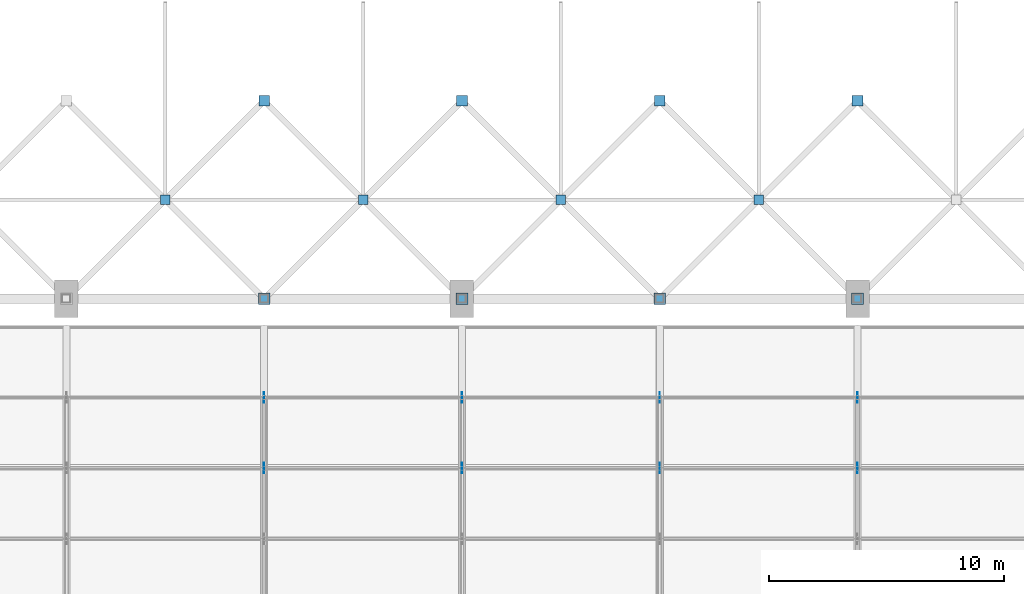
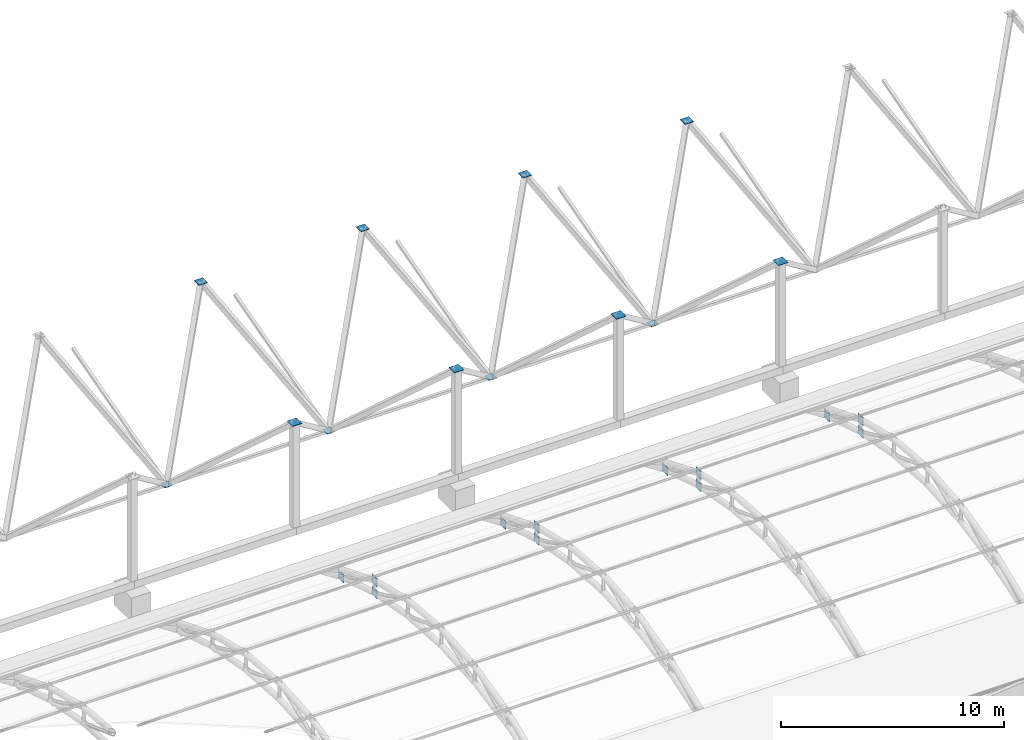
# One storey, part 126 of 163: 24 discrete accessories.
"""IFC4 building model written with IfcOpenShell, lengths in metres."""

import ifcopenshell
import ifcopenshell.guid

model = None  # the IFC model being written
_history = None  # IfcOwnerHistory: only IFC2X3 demands one
_inside = {}  # id of a spatial element -> (the spatial element, [elements in it])
_under = {}  # id of a project, library or spatial element -> (it, [spatial elements below it])
_declared = {}  # id of a project -> (the project, [libraries it declares])
_typed = {}  # id of a type object -> (the type object, [elements of that type])
_made_of = {}  # id of a material, layer set ... -> (it, [elements and type objects made of it])


def new_model(schema):
    """Start an empty IFC model of exactly this schema.

    Asked for "IFC4X3", IfcOpenShell would pick the latest addendum, in which some entities
    have other attributes; the version numbers below select the first issue.
    IFC2X3 requires an IfcOwnerHistory on every rooted entity: one is made here for all.
    """
    global model, _history
    if schema == "IFC4X3":
        model = ifcopenshell.file(schema_version=(4, 3, 0, 0))
    else:
        model = ifcopenshell.file(schema=schema)
    _inside.clear()
    _under.clear()
    _declared.clear()
    _typed.clear()
    _made_of.clear()
    _history = None
    if model.schema == "IFC2X3":
        org = make("IfcOrganization", Name="unknown")
        user = make(
            "IfcPersonAndOrganization",
            ThePerson=make("IfcPerson", FamilyName="unknown"),
            TheOrganization=org,
        )
        app = make(
            "IfcApplication",
            ApplicationDeveloper=org,
            Version="unknown",
            ApplicationFullName="unknown",
            ApplicationIdentifier="unknown",
        )
        _history = make(
            "IfcOwnerHistory",
            OwningUser=user,
            OwningApplication=app,
            ChangeAction="ADDED",
            CreationDate=0,
        )
    return model


def make(cls, **values):
    """One entity of the class cls with the attributes given. An attribute that is None is left unset."""
    return model.create_entity(
        cls, **{name: value for name, value in values.items() if value is not None}
    )


def rooted(cls, **values):
    """An entity with a GlobalId (a new one), such as an element, a storey or a relation."""
    return make(cls, GlobalId=ifcopenshell.guid.new(), OwnerHistory=_history, **values)


def si_unit(unit_type, name, prefix=None):
    """IfcSIUnit, for example si_unit("LENGTHUNIT", "METRE", prefix="MILLI")."""
    return make("IfcSIUnit", UnitType=unit_type, Prefix=prefix, Name=name)


def assignment(units):
    """IfcUnitAssignment: the units of a project."""
    return None if units is None else make("IfcUnitAssignment", Units=units)


def point(xyz):
    """IfcCartesianPoint."""
    return None if xyz is None else make("IfcCartesianPoint", Coordinates=xyz)


def direction(xyz):
    """IfcDirection."""
    return None if xyz is None else make("IfcDirection", DirectionRatios=xyz)


def frame(location, z_axis=None, x_axis=None):
    """IfcAxis2Placement3D, a coordinate frame: its origin and axes. An axis left out is left unset."""
    return make(
        "IfcAxis2Placement3D",
        Location=point(location),
        Axis=direction(z_axis),
        RefDirection=direction(x_axis),
    )


def frame_2d(location, x_axis=None):
    """IfcAxis2Placement2D, a coordinate frame in the plane: its origin and x axis."""
    return make(
        "IfcAxis2Placement2D", Location=point(location), RefDirection=direction(x_axis)
    )


def origin():
    """The frame at (0, 0, 0) with its axes left unset."""
    return frame((0.0, 0.0, 0.0))


def origin_2d():
    """The frame at (0, 0) in the plane with its x axis left unset."""
    return frame_2d((0.0, 0.0))


def place(relative_to, where):
    """IfcLocalPlacement: puts the frame where relative to a parent placement (None: the world)."""
    return make(
        "IfcLocalPlacement", PlacementRelTo=relative_to, RelativePlacement=where
    )


def context(
    kind, dimensions, precision=None, world=None, true_north=None, identifier=None
):
    """IfcGeometricRepresentationContext, for example the 3D "Model" context."""
    return make(
        "IfcGeometricRepresentationContext",
        ContextIdentifier=identifier,
        ContextType=kind,
        CoordinateSpaceDimension=dimensions,
        Precision=precision,
        WorldCoordinateSystem=world,
        TrueNorth=true_north,
    )


def subcontext(parent, identifier, kind, view, scale=None):
    """IfcGeometricRepresentationSubContext, for example "Body" below "Model"."""
    return make(
        "IfcGeometricRepresentationSubContext",
        ContextIdentifier=identifier,
        ContextType=kind,
        ParentContext=parent,
        TargetScale=scale,
        TargetView=view,
    )


def project(units=None, contexts=None):
    """IfcProject with its units and contexts."""
    return rooted(
        "IfcProject",
        Name="project",
        RepresentationContexts=contexts,
        UnitsInContext=assignment(units),
    )


def spatial(cls, under=None, at=None, **own):
    """A site, building, storey or space (cls), placed at a placement, below another one or the project."""
    s = rooted(cls, ObjectPlacement=at, **own)
    if under is not None:
        _under.setdefault(under.id(), (under, []))[1].append(s)
    return s


def profile(cls, at=None, kind="AREA", **sizes):
    """A parametric profile (cls). Its sizes go by their IFC names, for example OverallWidth=200.0."""
    return make(cls, ProfileType=kind, Position=at, **sizes)


def rectangle(**sizes):
    """IfcRectangleProfileDef."""
    return profile("IfcRectangleProfileDef", **sizes)


def extrude(swept, where, along, depth):
    """IfcExtrudedAreaSolid: the profile swept, set in the frame where, extruded along a direction by depth."""
    return make(
        "IfcExtrudedAreaSolid",
        SweptArea=swept,
        Position=where,
        ExtrudedDirection=direction(along),
        Depth=depth,
    )


def shape(context_of_items, identifier, shape_type, items):
    """IfcShapeRepresentation: the items that make up one representation, for example the "Body"."""
    return make(
        "IfcShapeRepresentation",
        ContextOfItems=context_of_items,
        RepresentationIdentifier=identifier,
        RepresentationType=shape_type,
        Items=items,
    )


def material(Name=None, Category=None):
    """IfcMaterial."""
    return make("IfcMaterial", Name=Name, Category=Category)


def layer(
    of_material, thickness, ventilated=None, Name=None, Category=None, Priority=None
):
    """IfcMaterialLayer: one layer of a wall or slab, of a material (None: an air gap)."""
    return make(
        "IfcMaterialLayer",
        Material=of_material,
        LayerThickness=thickness,
        IsVentilated=ventilated,
        Name=Name,
        Category=Category,
        Priority=Priority,
    )


def layer_set(layers, Name=None):
    """IfcMaterialLayerSet."""
    return make("IfcMaterialLayerSet", MaterialLayers=layers, LayerSetName=Name)


def made_of(thing, what):
    """Note that an element or type object is made of a material, layer set ...; save() writes the relation."""
    if what is not None:
        _made_of.setdefault(what.id(), (what, []))[1].append(thing)
    return thing


def type_object(cls, material=None, **own):
    """A type object (cls), such as IfcWallType, which elements share."""
    return made_of(rooted(cls, **own), material)


def element(
    cls,
    number,
    at=None,
    inside=None,
    cuts=None,
    type_object=None,
    material=None,
    context=None,
    identifier="Body",
    shape_type=None,
    held_by="IfcProductDefinitionShape",
    body=None,
    shapes=None,
    **own,
):
    """One element of the class cls, such as IfcWall. Its Tag is "e" and its number.

    at: its placement. inside: the storey or other place that contains it. cuts: it is an
    opening in that element (IfcRelVoidsElement). A single representation is given by context,
    identifier, shape_type and body (its items); several are given by shapes. held_by: the class
    of the entity that holds the representations. save() writes the other relations.
    """
    e = rooted(cls, Tag="e%d" % number, ObjectPlacement=at, **own)
    if body is not None:
        shapes = [shape(context, identifier, shape_type, body)]
    if shapes is not None:
        e.Representation = make(held_by, Representations=shapes)
    if inside is not None:
        _inside.setdefault(inside.id(), (inside, []))[1].append(e)
    if cuts is not None:
        rooted(
            "IfcRelVoidsElement", RelatingBuildingElement=cuts, RelatedOpeningElement=e
        )
    if type_object is not None:
        _typed.setdefault(type_object.id(), (type_object, []))[1].append(e)
    return made_of(e, material)


def aggregate(whole, parts):
    """IfcRelAggregates: a whole, such as a stair, and the parts it consists of."""
    return rooted("IfcRelAggregates", RelatingObject=whole, RelatedObjects=parts)


def save(model, path):
    """Write the relations noted so far, then the file.

    IfcRelAggregates (storeys below a building ...), IfcRelContainedInSpatialStructure (elements
    in a storey), IfcRelDefinesByType, IfcRelAssociatesMaterial and IfcRelDeclares: one each for
    every whole, place, type object, material and project.
    """
    for whole, parts in _under.values():
        aggregate(whole, parts)
    for where, things in _inside.values():
        rooted(
            "IfcRelContainedInSpatialStructure",
            RelatedElements=things,
            RelatingStructure=where,
        )
    for kind, things in _typed.values():
        rooted("IfcRelDefinesByType", RelatedObjects=things, RelatingType=kind)
    for what, things in _made_of.values():
        rooted("IfcRelAssociatesMaterial", RelatedObjects=things, RelatingMaterial=what)
    for by, libraries in _declared.values():
        rooted("IfcRelDeclares", RelatingContext=by, RelatedDefinitions=libraries)
    model.write(path)


model = new_model("IFC4")

# Units and contexts
model_context = context("Model", 3, precision=1e-05, world=origin(), true_north=direction((0.0, 1.0)))
body_context = subcontext(model_context, "Body", "Model", "MODEL_VIEW")
ifc_project = project(units=[si_unit("LENGTHUNIT", "METRE"), si_unit("AREAUNIT", "SQUARE_METRE"), si_unit("VOLUMEUNIT", "CUBIC_METRE"), si_unit("PLANEANGLEUNIT", "RADIAN"), si_unit("MASSUNIT", "GRAM", prefix="KILO")], contexts=[model_context])

# Site, building, storey
site_placement = place(None, origin())
site = spatial("IfcSite", under=ifc_project, at=site_placement, CompositionType="ELEMENT")
building_placement = place(site_placement, origin())
building = spatial("IfcBuilding", under=site, at=building_placement, Name="Rain Tree Exposition and Congress Centre", CompositionType="ELEMENT")
storey_placement = place(building_placement, frame((0.0, 0.0, 10.5)))
storey = spatial("IfcBuildingStorey", under=building, at=storey_placement, Name="L02", CompositionType="ELEMENT", Elevation=10.5)

# Discrete accessories
ifc_material_1 = material(Name="Steel plate S355J2", Category="steel")
ifc_layer_1 = layer(ifc_material_1, 0.02001953125)
ifc_layer_set_1 = layer_set([ifc_layer_1], Name="Steel plate S355J2")
discrete_accessory_type_1 = type_object("IfcDiscreteAccessoryType", Name="Brace node plate 400x400x20", PredefinedType="BRACKET", material=ifc_layer_set_1)
for number, where, z_axis, x_axis, name in (
    (1, (63.0, 105.0, 2.863525390625), (0.0, 0.0, 1.0), (1.0, 0.0, 0.0), "Brace node plate 400"),
    (2, (71.39990234375, 105.0, 2.863525390625), (0.0, 0.0, 1.0), (1.0, 0.0, 0.0), "Brace node plate 400"),
    (3, (79.800048828125, 105.0, 2.863525390625), (0.0, 0.0, 1.0), (1.0, 0.0, 0.0), "Brace node plate 400"),
    (4, (88.199951171875, 105.0, 2.863525390625), (0.0, 0.0, 1.0), (1.0, 0.0, 0.0), "Brace node plate 400"),
):
    element("IfcDiscreteAccessory", number, at=place(storey_placement, frame(where, z_axis=z_axis, x_axis=x_axis)), inside=storey, type_object=discrete_accessory_type_1, Name=name, PredefinedType="BRACKET", context=body_context, shape_type="SweptSolid", body=[
        extrude(rectangle(XDim=0.39990234375, YDim=0.39990234375, at=origin_2d()), origin(), (0.0, 0.0, 1.0), 0.02001953125),
    ])
ifc_material_2 = material(Name="Steel plate S355J2", Category="steel")
ifc_layer_2 = layer(ifc_material_2, 0.02001953125)
ifc_layer_set_2 = layer_set([ifc_layer_2], Name="Steel plate S355J2")
discrete_accessory_type_2 = type_object("IfcDiscreteAccessoryType", Name="Brace node plate 450x450x20", PredefinedType="BRACKET", material=ifc_layer_set_2)
for number, where, z_axis, x_axis, name in (
    (5, (67.199951171875, 109.199951171875, 9.956787109375), (0.0, 0.0, 1.0), (1.0, 0.0, 0.0), "Brace node plate 450"),
    (6, (75.60009765625, 109.199951171875, 9.956787109375), (0.0, 0.0, 1.0), (1.0, 0.0, 0.0), "Brace node plate 450"),
    (7, (84.0, 109.199951171875, 9.956787109375), (0.0, 0.0, 1.0), (1.0, 0.0, 0.0), "Brace node plate 450"),
    (8, (92.39990234375, 109.199951171875, 9.956787109375), (0.0, 0.0, 1.0), (1.0, 0.0, 0.0), "Brace node plate 450"),
):
    element("IfcDiscreteAccessory", number, at=place(storey_placement, frame(where, z_axis=z_axis, x_axis=x_axis)), inside=storey, type_object=discrete_accessory_type_2, Name=name, PredefinedType="BRACKET", context=body_context, shape_type="SweptSolid", body=[
        extrude(rectangle(XDim=0.449951171875, YDim=0.449951171875, at=origin_2d()), origin(), (0.0, 0.0, 1.0), 0.02001953125),
    ])
for number, where, z_axis, x_axis, name in (
    (9, (67.199951171875, 93.60009765625, 2.15478515625), (0.0, 0.0, 1.0), (0.0, -1.0, 0.0), "Brace node plate 450"),
    (10, (67.199951171875, 96.60009765625, 1.21728515625), (0.0, 0.0, 1.0), (0.0, -1.0, 0.0), "Brace node plate 450"),
    (11, (67.199951171875, 93.60009765625, 2.830078125), (0.0, 0.0, 1.0), (0.0, 1.0, 0.0), "Brace node plate 450"),
    (12, (75.60009765625, 93.60009765625, 2.15478515625), (0.0, 0.0, 1.0), (0.0, -1.0, 0.0), "Brace node plate 450"),
    (13, (75.60009765625, 96.60009765625, 1.21728515625), (0.0, 0.0, 1.0), (0.0, -1.0, 0.0), "Brace node plate 450"),
    (14, (75.60009765625, 93.60009765625, 2.830078125), (0.0, 0.0, 1.0), (0.0, 1.0, 0.0), "Brace node plate 450"),
    (15, (84.0, 93.60009765625, 2.15478515625), (0.0, 0.0, 1.0), (0.0, -1.0, 0.0), "Brace node plate 450"),
    (16, (84.0, 96.60009765625, 1.21728515625), (0.0, 0.0, 1.0), (0.0, -1.0, 0.0), "Brace node plate 450"),
    (17, (84.0, 93.60009765625, 2.830078125), (0.0, 0.0, 1.0), (0.0, 1.0, 0.0), "Brace node plate 450"),
    (18, (92.39990234375, 93.60009765625, 2.15478515625), (0.0, 0.0, 1.0), (0.0, -1.0, 0.0), "Brace node plate 450"),
    (19, (92.39990234375, 96.60009765625, 1.21728515625), (0.0, 0.0, 1.0), (0.0, -1.0, 0.0), "Brace node plate 450"),
    (20, (92.39990234375, 93.60009765625, 2.830078125), (0.0, 0.0, 1.0), (0.0, 1.0, 0.0), "Brace node plate 450"),
):
    element("IfcDiscreteAccessory", number, at=place(storey_placement, frame(where, z_axis=z_axis, x_axis=x_axis)), inside=storey, type_object=discrete_accessory_type_2, Name=name, PredefinedType="BRACKET", context=body_context, shape_type="SweptSolid", body=[
        extrude(rectangle(XDim=0.449951171875, YDim=0.02001953125, at=origin_2d()), origin(), (0.0, 0.0, 1.0), 0.449951171875),
    ])
ifc_material_3 = material(Name="Steel plate S355J2", Category="steel")
ifc_layer_3 = layer(ifc_material_3, 0.02001953125)
ifc_layer_set_3 = layer_set([ifc_layer_3], Name="Steel plate S355J2")
discrete_accessory_type_3 = type_object("IfcDiscreteAccessoryType", Name="Brace node plate 500x500x20", PredefinedType="BRACKET", material=ifc_layer_set_3)
for number, where, z_axis, x_axis, name in (
    (21, (67.199951171875, 100.800048828125, 7.340087890625), (0.0, 0.0, 1.0), (1.0, 0.0, 0.0), "Brace node plate 500"),
    (22, (75.60009765625, 100.800048828125, 7.340087890625), (0.0, 0.0, 1.0), (1.0, 0.0, 0.0), "Brace node plate 500"),
    (23, (84.0, 100.800048828125, 7.340087890625), (0.0, 0.0, 1.0), (1.0, 0.0, 0.0), "Brace node plate 500"),
    (24, (92.39990234375, 100.800048828125, 7.340087890625), (0.0, 0.0, 1.0), (1.0, 0.0, 0.0), "Brace node plate 500"),
):
    element("IfcDiscreteAccessory", number, at=place(storey_placement, frame(where, z_axis=z_axis, x_axis=x_axis)), inside=storey, type_object=discrete_accessory_type_3, Name=name, PredefinedType="BRACKET", context=body_context, shape_type="SweptSolid", body=[
        extrude(rectangle(XDim=0.5, YDim=0.5, at=origin_2d()), origin(), (0.0, 0.0, 1.0), 0.02001953125),
    ])

save(model, "model.ifc")
